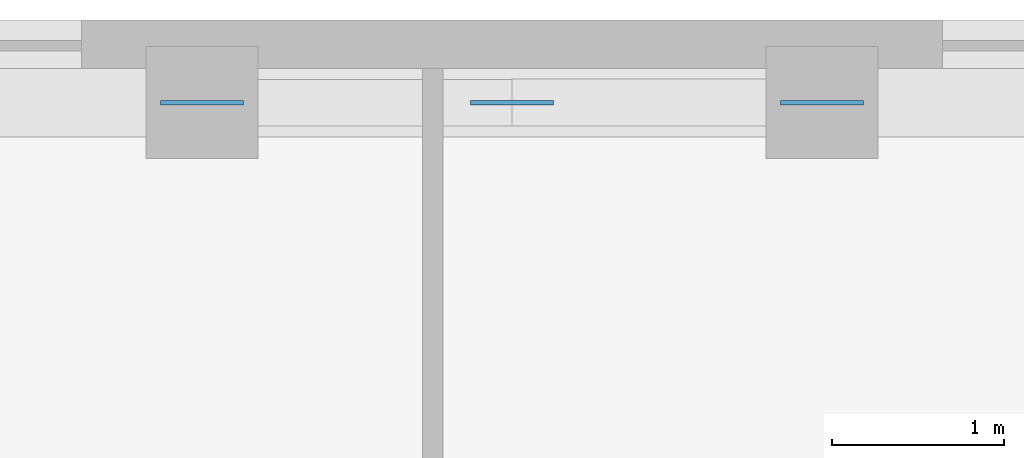
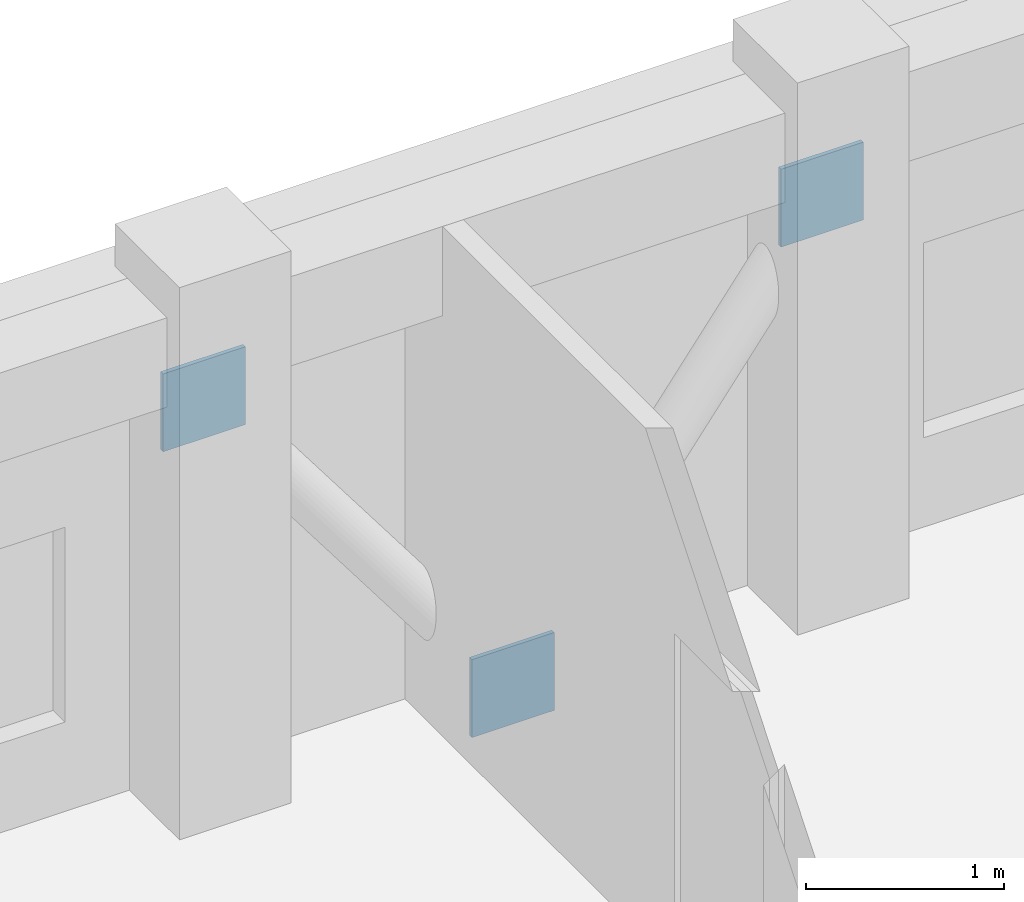
# One storey, part 9 of 11: 3 discrete accessories.
"""IFC4 building model written with IfcOpenShell, lengths in metres."""

from ifc_helpers import new_model, si_unit, derived_unit, direction, frame, origin, origin_2d, place, context, subcontext, project, spatial, rectangle, extrude, material, layer, layer_set, type_object, element, save


model = new_model("IFC4")

# Units and contexts
model_context = context("Model", 3, precision=1e-05, world=origin(), true_north=direction((0.0, 1.0)))
body_context = subcontext(model_context, "Body", "Model", "MODEL_VIEW")
ifc_project = project(units=[si_unit("LENGTHUNIT", "METRE"), si_unit("AREAUNIT", "SQUARE_METRE"), si_unit("VOLUMEUNIT", "CUBIC_METRE"), si_unit("PLANEANGLEUNIT", "RADIAN"), si_unit("MASSUNIT", "GRAM", prefix="KILO"), derived_unit("THERMALTRANSMITTANCEUNIT", [(si_unit("MASSUNIT", "GRAM", prefix="KILO"), 1), (si_unit("TIMEUNIT", "SECOND"), -3), (si_unit("THERMODYNAMICTEMPERATUREUNIT", "KELVIN"), -1)])], contexts=[model_context])

# Site, building, storey
site_placement = place(None, origin())
site = spatial("IfcSite", under=ifc_project, at=site_placement, CompositionType="ELEMENT")
building_placement = place(site_placement, origin())
building = spatial("IfcBuilding", under=site, at=building_placement, Name="Korrvale Station Residences", CompositionType="ELEMENT")
storey_placement = place(building_placement, frame((0.0, 0.0, 251.300048828125)))
storey = spatial("IfcBuildingStorey", under=building, at=storey_placement, Name="L73", CompositionType="ELEMENT", Elevation=251.300048828125)

# Discrete accessories
ifc_material = material(Name="Steel S355", Category="steel")
ifc_layer = layer(ifc_material, 0.02490234375, Name="Steel S355")
ifc_layer_set = layer_set([ifc_layer], Name="Steel S355")
discrete_accessory_type = type_object("IfcDiscreteAccessoryType", Name="ACC-GUSSET-25", PredefinedType="BRACKET", material=ifc_layer_set)
for number, where, z_axis, x_axis, name in (
    (1, (25.0, 39.719970703125, -0.219970703125), (0.0, 0.0, 1.0), (1.0, 0.0, 0.0), "L73 N Brace End Gusset Connection M"),
    (2, (23.199951171875, 39.719970703125, 2.169921875), (0.0, 0.0, 1.0), (1.0, 0.0, 0.0), "L73 N Brace End Gusset Connection A"),
    (3, (26.800048828125, 39.719970703125, 2.169921875), (0.0, 0.0, 1.0), (1.0, 0.0, 0.0), "L73 N Brace End Gusset Connection B"),
):
    element("IfcDiscreteAccessory", number, at=place(storey_placement, frame(where, z_axis=z_axis, x_axis=x_axis)), inside=storey, type_object=discrete_accessory_type, Name=name, PredefinedType="BRACKET", context=body_context, shape_type="SweptSolid", body=[
        extrude(rectangle(XDim=0.47998046875, YDim=0.02490234375, at=origin_2d()), origin(), (0.0, 0.0, 1.0), 0.47998046875),
    ])

save(model, "model.ifc")
